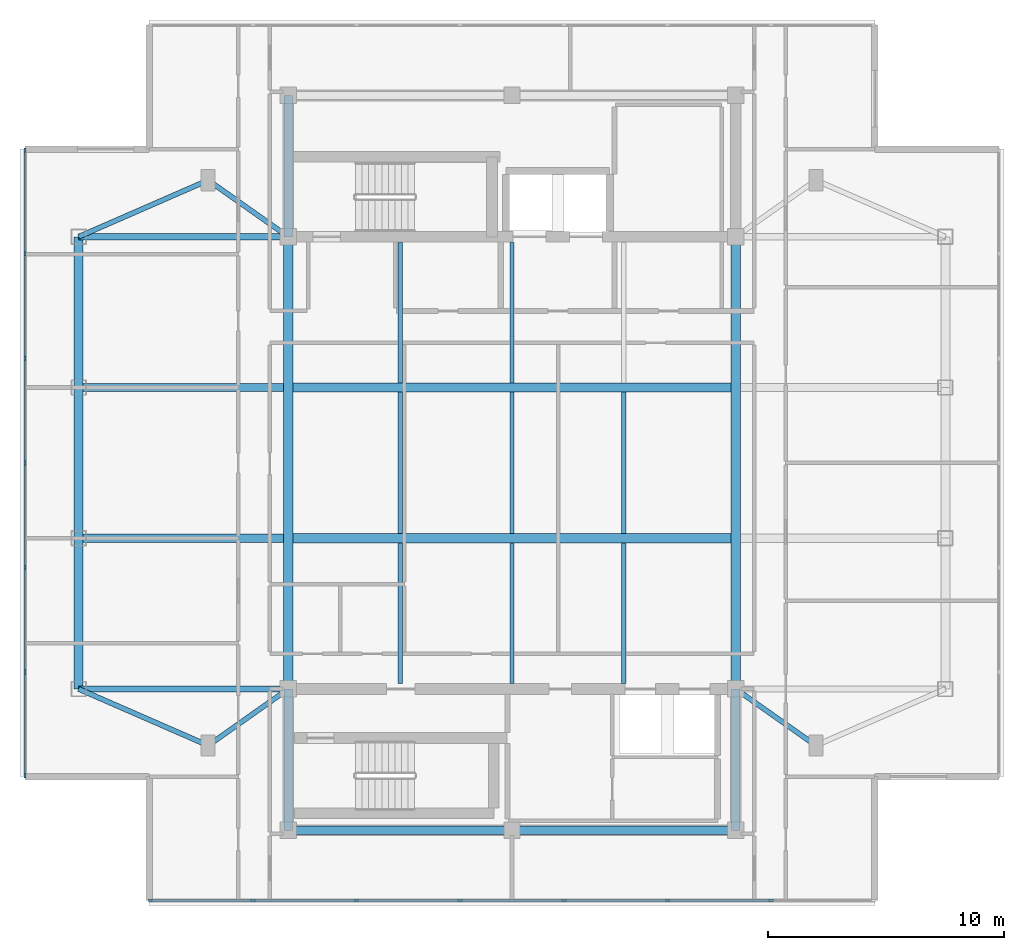
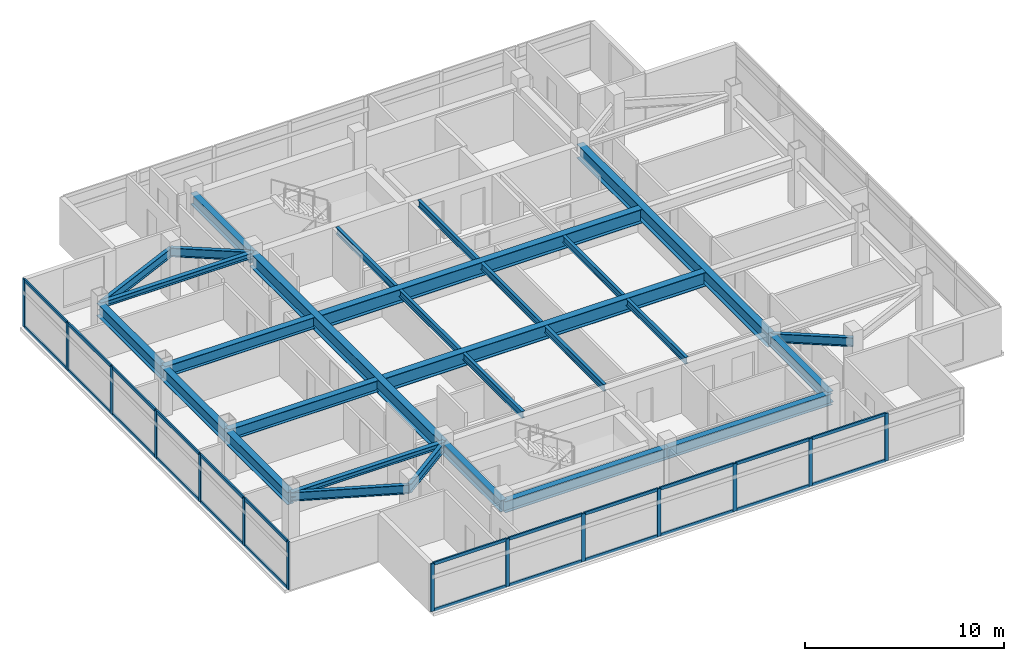
# One storey, part 2 of 11: 38 members, 29 beams, 2 elements without a shape of their own.
"""IFC4 building model written with IfcOpenShell, lengths in metres."""

from ifc_helpers import new_model, si_unit, direction, frame, origin, origin_2d, place, context, subcontext, project, spatial, rectangle, i_section, extrude, material, material_profile, profile_set, type_object, element, aggregate, save


model = new_model("IFC4")

# Units and contexts
model_context = context("Model", 3, precision=1e-05, world=origin(), true_north=direction((0.0, 1.0)))
body_context = subcontext(model_context, "Body", "Model", "MODEL_VIEW")
ifc_project = project(units=[si_unit("LENGTHUNIT", "METRE"), si_unit("AREAUNIT", "SQUARE_METRE"), si_unit("VOLUMEUNIT", "CUBIC_METRE"), si_unit("PLANEANGLEUNIT", "RADIAN"), si_unit("MASSUNIT", "GRAM", prefix="KILO")], contexts=[model_context])

# Site, building, storey
site_placement = place(None, origin())
site = spatial("IfcSite", under=ifc_project, at=site_placement, CompositionType="ELEMENT")
building_placement = place(site_placement, origin())
building = spatial("IfcBuilding", under=site, at=building_placement, Name="Mirazonda Arch Towers", CompositionType="ELEMENT")
storey_placement = place(building_placement, frame((0.0, 0.0, 259.89990234375)))
storey = spatial("IfcBuildingStorey", under=building, at=storey_placement, Name="L74", CompositionType="ELEMENT", Elevation=259.89990234375)

# Beams
ifc_material_1 = material(Name="Steel ASTM A992 Grade 50", Category="steel")
ifc_material_profile_1 = material_profile(ifc_material_1, i_section(OverallWidth=0.381103515625, OverallDepth=0.77294921875, WebThickness=0.0166015625, FlangeThickness=0.027099609375, at=origin_2d()), Name="W30X173")
ifc_profile_set_1 = profile_set([ifc_material_profile_1], Name="Steel ASTM A992 Grade 50")
beam_type_1 = type_object("IfcBeamType", Name="BM-EXT-W30X173", PredefinedType="USERDEFINED", material=ifc_profile_set_1)
beam_1_placement = place(storey_placement, frame((2.10009765625, 18.39990234375, 2.5634765625), z_axis=(0.0, 1.0, 0.0), x_axis=(-1.0, 0.0, 0.0)))
element("IfcBeam", 1, at=beam_1_placement, inside=storey, type_object=beam_type_1, Name="L74 Floor Beam BM-T1-L74-NS-W-18", ObjectType="GIRDER", PredefinedType="USERDEFINED", context=body_context, shape_type="SweptSolid", body=[
    extrude(i_section(OverallWidth=0.381103515625, OverallDepth=0.77294921875, WebThickness=0.0166015625, FlangeThickness=0.027099609375, at=origin_2d()), origin(), (0.0, 0.0, 1.0), 6.400146484375),
])
beam_2_placement = place(storey_placement, frame((2.10009765625, 24.800048828125, 2.5634765625), z_axis=(0.0, 1.0, 0.0), x_axis=(-1.0, 0.0, 0.0)))
element("IfcBeam", 2, at=beam_2_placement, inside=storey, type_object=beam_type_1, Name="L74 Floor Beam BM-T1-L74-NS-W-24", ObjectType="GIRDER", PredefinedType="USERDEFINED", context=body_context, shape_type="SweptSolid", body=[
    extrude(i_section(OverallWidth=0.381103515625, OverallDepth=0.77294921875, WebThickness=0.0166015625, FlangeThickness=0.027099609375, at=origin_2d()), origin(), (0.0, 0.0, 1.0), 6.39990234375),
])
beam_3_placement = place(storey_placement, frame((2.10009765625, 31.199951171875, 2.5634765625), z_axis=(0.0, 1.0, 0.0), x_axis=(-1.0, 0.0, 0.0)))
element("IfcBeam", 3, at=beam_3_placement, inside=storey, type_object=beam_type_1, Name="L74 Floor Beam BM-T1-L74-NS-W-31", ObjectType="GIRDER", PredefinedType="USERDEFINED", context=body_context, shape_type="SweptSolid", body=[
    extrude(i_section(OverallWidth=0.381103515625, OverallDepth=0.77294921875, WebThickness=0.0166015625, FlangeThickness=0.027099609375, at=origin_2d()), origin(), (0.0, 0.0, 1.0), 6.400146484375),
])
ifc_material_profile_2 = material_profile(ifc_material_1, i_section(OverallWidth=0.257080078125, OverallDepth=0.330078125, WebThickness=0.011962890625, FlangeThickness=0.01953125, at=origin_2d()), Name="W10X68")
ifc_profile_set_2 = profile_set([ifc_material_profile_2], Name="Steel ASTM A992 Grade 50")
beam_type_2 = type_object("IfcBeamType", Name="BM-INT-W10X68", PredefinedType="BEAM", material=ifc_profile_set_2)
for number, where, z_axis, x_axis, name in (
    (4, (2.10009765625, 37.60009765625, 2.78515625), (1.0, 0.0, 0.0), (0.0, 1.0, 0.0), "L74 Floor Beam CBC-T1-L74-NW"),
    (5, (2.10009765625, 18.39990234375, 2.78515625), (1.0, 0.0, 0.0), (0.0, 1.0, 0.0), "L74 Floor Beam CBC-T1-L74-SW"),
):
    element("IfcBeam", number, at=place(storey_placement, frame(where, z_axis=z_axis, x_axis=x_axis)), inside=storey, type_object=beam_type_2, Name=name, PredefinedType="BEAM", context=body_context, shape_type="SweptSolid", body=[
        extrude(i_section(OverallWidth=0.257080078125, OverallDepth=0.330078125, WebThickness=0.011962890625, FlangeThickness=0.01953125, at=origin_2d()), origin(), (0.0, 0.0, 1.0), 8.89990234375),
    ])
ifc_material_profile_3 = material_profile(ifc_material_1, i_section(OverallWidth=0.180908203125, OverallDepth=0.4169921875, WebThickness=0.010986328125, FlangeThickness=0.018310546875, at=origin_2d()), Name="W16X57")
ifc_profile_set_3 = profile_set([ifc_material_profile_3], Name="Steel ASTM A992 Grade 50")
beam_type_3 = type_object("IfcBeamType", Name="BM-INT-W16X57", PredefinedType="JOIST", material=ifc_profile_set_3)
for number, where, z_axis, x_axis, name in (
    (6, (15.75, 18.639892578125, 2.74169921875), (0.0, 1.0, 0.0), (-1.0, 0.0, 0.0), "L74 Floor Beam BM-T1-L74-J-157-18"),
    (7, (15.75, 31.39599609375, 2.74169921875), (0.0, 1.0, 0.0), (-1.0, 0.0, 0.0), "L74 Floor Beam BM-T1-L74-J-157-31"),
):
    element("IfcBeam", number, at=place(storey_placement, frame(where, z_axis=z_axis, x_axis=x_axis)), inside=storey, type_object=beam_type_3, Name=name, PredefinedType="JOIST", context=body_context, shape_type="SweptSolid", body=[
        extrude(i_section(OverallWidth=0.180908203125, OverallDepth=0.4169921875, WebThickness=0.010986328125, FlangeThickness=0.018310546875, at=origin_2d()), origin(), (0.0, 0.0, 1.0), 5.964111328125),
    ])
beam_4_placement = place(storey_placement, frame((15.75, 24.99609375, 2.74169921875), z_axis=(0.0, 1.0, 0.0), x_axis=(-1.0, 0.0, 0.0)))
element("IfcBeam", 8, at=beam_4_placement, inside=storey, type_object=beam_type_3, Name="L74 Floor Beam BM-T1-L74-J-157-24", PredefinedType="JOIST", context=body_context, shape_type="SweptSolid", body=[
    extrude(i_section(OverallWidth=0.180908203125, OverallDepth=0.4169921875, WebThickness=0.010986328125, FlangeThickness=0.018310546875, at=origin_2d()), origin(), (0.0, 0.0, 1.0), 6.0078125),
])
for number, where, z_axis, x_axis, name in (
    (9, (20.5, 18.639892578125, 2.74169921875), (0.0, 1.0, 0.0), (-1.0, 0.0, 0.0), "L74 Floor Beam BM-T1-L74-J-205-18"),
    (10, (20.5, 31.39599609375, 2.74169921875), (0.0, 1.0, 0.0), (-1.0, 0.0, 0.0), "L74 Floor Beam BM-T1-L74-J-205-31"),
):
    element("IfcBeam", number, at=place(storey_placement, frame(where, z_axis=z_axis, x_axis=x_axis)), inside=storey, type_object=beam_type_3, Name=name, PredefinedType="JOIST", context=body_context, shape_type="SweptSolid", body=[
        extrude(i_section(OverallWidth=0.180908203125, OverallDepth=0.4169921875, WebThickness=0.010986328125, FlangeThickness=0.018310546875, at=origin_2d()), origin(), (0.0, 0.0, 1.0), 5.964111328125),
    ])
beam_5_placement = place(storey_placement, frame((20.5, 24.99609375, 2.74169921875), z_axis=(0.0, 1.0, 0.0), x_axis=(-1.0, 0.0, 0.0)))
element("IfcBeam", 11, at=beam_5_placement, inside=storey, type_object=beam_type_3, Name="L74 Floor Beam BM-T1-L74-J-205-24", PredefinedType="JOIST", context=body_context, shape_type="SweptSolid", body=[
    extrude(i_section(OverallWidth=0.180908203125, OverallDepth=0.4169921875, WebThickness=0.010986328125, FlangeThickness=0.018310546875, at=origin_2d()), origin(), (0.0, 0.0, 1.0), 6.0078125),
])
beam_6_placement = place(storey_placement, frame((25.25, 18.639892578125, 2.74169921875), z_axis=(0.0, 1.0, 0.0), x_axis=(-1.0, 0.0, 0.0)))
element("IfcBeam", 12, at=beam_6_placement, inside=storey, type_object=beam_type_3, Name="L74 Floor Beam BM-T1-L74-J-252-18", PredefinedType="JOIST", context=body_context, shape_type="SweptSolid", body=[
    extrude(i_section(OverallWidth=0.180908203125, OverallDepth=0.4169921875, WebThickness=0.010986328125, FlangeThickness=0.018310546875, at=origin_2d()), origin(), (0.0, 0.0, 1.0), 5.964111328125),
])
beam_7_placement = place(storey_placement, frame((25.25, 24.99609375, 2.74169921875), z_axis=(0.0, 1.0, 0.0), x_axis=(-1.0, 0.0, 0.0)))
element("IfcBeam", 13, at=beam_7_placement, inside=storey, type_object=beam_type_3, Name="L74 Floor Beam BM-T1-L74-J-252-24", PredefinedType="JOIST", context=body_context, shape_type="SweptSolid", body=[
    extrude(i_section(OverallWidth=0.180908203125, OverallDepth=0.4169921875, WebThickness=0.010986328125, FlangeThickness=0.018310546875, at=origin_2d()), origin(), (0.0, 0.0, 1.0), 6.0078125),
])
ifc_material_profile_4 = material_profile(ifc_material_1, i_section(OverallWidth=0.214111328125, OverallDepth=0.549072265625, WebThickness=0.0146484375, FlangeThickness=0.023681640625, at=origin_2d()), Name="W21X93")
ifc_profile_set_4 = profile_set([ifc_material_profile_4], Name="Steel ASTM A992 Grade 50")
beam_type_4 = type_object("IfcBeamType", Name="BM-INT-W21X93", PredefinedType="BEAM", material=ifc_profile_set_4)
beam_8_placement = place(storey_placement, frame((7.60009765625, 16.0, 2.675537109375), z_axis=(0.816971114901, 0.576678591087, 0.0), x_axis=(-0.576678591087, 0.816971114901, 0.0)))
element("IfcBeam", 14, at=beam_8_placement, inside=storey, type_object=beam_type_4, Name="L74 Floor Beam BM-T1-L74-PL-SW1", PredefinedType="BEAM", context=body_context, shape_type="SweptSolid", body=[
    extrude(i_section(OverallWidth=0.214111328125, OverallDepth=0.549072265625, WebThickness=0.0146484375, FlangeThickness=0.023681640625, at=origin_2d()), origin(), (0.0, 0.0, 1.0), 4.16162109375),
])
beam_9_placement = place(storey_placement, frame((7.60009765625, 16.0, 2.675537109375), z_axis=(-0.916545343703, 0.399930785183, 0.0), x_axis=(-0.399930785183, -0.916545343703, 0.0)))
element("IfcBeam", 15, at=beam_9_placement, inside=storey, type_object=beam_type_4, Name="L74 Floor Beam BM-T1-L74-PL-SW2", PredefinedType="BEAM", context=body_context, shape_type="SweptSolid", body=[
    extrude(i_section(OverallWidth=0.214111328125, OverallDepth=0.549072265625, WebThickness=0.0146484375, FlangeThickness=0.023681640625, at=origin_2d()), origin(), (0.0, 0.0, 1.0), 6.000732421875),
])
for number, where, z_axis, x_axis, name in (
    (16, (33.39990234375, 16.0, 2.675537109375), (-0.816971114901, 0.576678591087, 0.0), (-0.576678591087, -0.816971114901, 0.0), "L74 Floor Beam BM-T1-L74-PL-SE1"),
    (17, (7.60009765625, 40.0, 2.675537109375), (0.816971114901, -0.576678591087, 0.0), (0.576678591087, 0.816971114901, 0.0), "L74 Floor Beam BM-T1-L74-PL-NW1"),
):
    element("IfcBeam", number, at=place(storey_placement, frame(where, z_axis=z_axis, x_axis=x_axis)), inside=storey, type_object=beam_type_4, Name=name, PredefinedType="BEAM", context=body_context, shape_type="SweptSolid", body=[
        extrude(i_section(OverallWidth=0.214111328125, OverallDepth=0.549072265625, WebThickness=0.0146484375, FlangeThickness=0.023681640625, at=origin_2d()), origin(), (0.0, 0.0, 1.0), 4.16162109375),
    ])
beam_10_placement = place(storey_placement, frame((7.60009765625, 40.0, 2.675537109375), z_axis=(-0.916545343703, -0.399930785183, 0.0), x_axis=(0.399930785183, -0.916545343703, 0.0)))
element("IfcBeam", 18, at=beam_10_placement, inside=storey, type_object=beam_type_4, Name="L74 Floor Beam BM-T1-L74-PL-NW2", PredefinedType="BEAM", context=body_context, shape_type="SweptSolid", body=[
    extrude(i_section(OverallWidth=0.214111328125, OverallDepth=0.549072265625, WebThickness=0.0146484375, FlangeThickness=0.023681640625, at=origin_2d()), origin(), (0.0, 0.0, 1.0), 6.000732421875),
])
ifc_material_profile_5 = material_profile(ifc_material_1, i_section(OverallWidth=0.35498046875, OverallDepth=0.696044921875, WebThickness=0.015380859375, FlangeThickness=0.02490234375, at=origin_2d()), Name="W27X146")
ifc_profile_set_5 = profile_set([ifc_material_profile_5], Name="Steel ASTM A992 Grade 50")
beam_type_5 = type_object("IfcBeamType", Name="BM-INT-W27X146", PredefinedType="BEAM", material=ifc_profile_set_5)
for number, where, z_axis, x_axis, name in (
    (19, (2.10009765625, 24.800048828125, 2.60205078125), (1.0, 0.0, 0.0), (0.0, 1.0, 0.0), "L74 Floor Beam BM-T1-L74-GW2"),
    (20, (2.10009765625, 31.199951171875, 2.60205078125), (1.0, 0.0, 0.0), (0.0, 1.0, 0.0), "L74 Floor Beam BM-T1-L74-GW3"),
):
    element("IfcBeam", number, at=place(storey_placement, frame(where, z_axis=z_axis, x_axis=x_axis)), inside=storey, type_object=beam_type_5, Name=name, PredefinedType="BEAM", context=body_context, shape_type="SweptSolid", body=[
        extrude(i_section(OverallWidth=0.35498046875, OverallDepth=0.696044921875, WebThickness=0.015380859375, FlangeThickness=0.02490234375, at=origin_2d()), origin(), (0.0, 0.0, 1.0), 8.699951171875),
    ])
for number, where, z_axis, x_axis, name in (
    (21, (11.0, 12.39990234375, 2.60205078125), (1.0, 0.0, 0.0), (0.0, 1.0, 0.0), "L74 Floor Beam BM-T1-L74-CS1"),
    (22, (20.5, 12.39990234375, 2.60205078125), (1.0, 0.0, 0.0), (0.0, 1.0, 0.0), "L74 Floor Beam BM-T1-L74-CS2"),
):
    element("IfcBeam", number, at=place(storey_placement, frame(where, z_axis=z_axis, x_axis=x_axis)), inside=storey, type_object=beam_type_5, Name=name, PredefinedType="BEAM", context=body_context, shape_type="SweptSolid", body=[
        extrude(i_section(OverallWidth=0.35498046875, OverallDepth=0.696044921875, WebThickness=0.015380859375, FlangeThickness=0.02490234375, at=origin_2d()), origin(), (0.0, 0.0, 1.0), 9.5),
    ])
for number, where, z_axis, x_axis, name in (
    (23, (11.0, 12.39990234375, 2.60205078125), (0.0, 1.0, 0.0), (-1.0, 0.0, 0.0), "L74 Floor Beam BM-T1-L74-CSW"),
    (24, (30.0, 12.39990234375, 2.60205078125), (0.0, 1.0, 0.0), (-1.0, 0.0, 0.0), "L74 Floor Beam BM-T1-L74-CSE"),
    (25, (11.0, 37.60009765625, 2.60205078125), (0.0, 1.0, 0.0), (-1.0, 0.0, 0.0), "L74 Floor Beam BM-T1-L74-CNW"),
):
    element("IfcBeam", number, at=place(storey_placement, frame(where, z_axis=z_axis, x_axis=x_axis)), inside=storey, type_object=beam_type_5, Name=name, PredefinedType="BEAM", context=body_context, shape_type="SweptSolid", body=[
        extrude(i_section(OverallWidth=0.35498046875, OverallDepth=0.696044921875, WebThickness=0.015380859375, FlangeThickness=0.02490234375, at=origin_2d()), origin(), (0.0, 0.0, 1.0), 6.0),
    ])
ifc_material_profile_6 = material_profile(ifc_material_1, i_section(OverallWidth=0.39990234375, OverallDepth=0.85595703125, WebThickness=0.018310546875, FlangeThickness=0.029296875, at=origin_2d()), Name="W33X201")
ifc_profile_set_6 = profile_set([ifc_material_profile_6], Name="Steel ASTM A992 Grade 50")
beam_type_6 = type_object("IfcBeamType", Name="BM-INT-W33X201", PredefinedType="USERDEFINED", material=ifc_profile_set_6)
for number, where, z_axis, x_axis, name in (
    (26, (11.199951171875, 24.800048828125, 2.522216796875), (1.0, 0.0, 0.0), (0.0, 1.0, 0.0), "L74 Floor Beam BM-T1-L74-GC2"),
    (27, (11.199951171875, 31.199951171875, 2.522216796875), (1.0, 0.0, 0.0), (0.0, 1.0, 0.0), "L74 Floor Beam BM-T1-L74-GC3"),
):
    element("IfcBeam", number, at=place(storey_placement, frame(where, z_axis=z_axis, x_axis=x_axis)), inside=storey, type_object=beam_type_6, Name=name, ObjectType="GIRDER", PredefinedType="USERDEFINED", context=body_context, shape_type="SweptSolid", body=[
        extrude(i_section(OverallWidth=0.39990234375, OverallDepth=0.85595703125, WebThickness=0.018310546875, FlangeThickness=0.029296875, at=origin_2d()), origin(), (0.0, 0.0, 1.0), 18.60009765625),
    ])
for number, where, z_axis, x_axis, name in (
    (28, (11.0, 18.39990234375, 2.522216796875), (0.0, 1.0, 0.0), (-1.0, 0.0, 0.0), "L74 Floor Beam BM-T1-L74-NS-CW-FULL"),
    (29, (30.0, 18.39990234375, 2.522216796875), (0.0, 1.0, 0.0), (-1.0, 0.0, 0.0), "L74 Floor Beam BM-T1-L74-NS-CE-FULL"),
):
    element("IfcBeam", number, at=place(storey_placement, frame(where, z_axis=z_axis, x_axis=x_axis)), inside=storey, type_object=beam_type_6, Name=name, ObjectType="GIRDER", PredefinedType="USERDEFINED", context=body_context, shape_type="SweptSolid", body=[
        extrude(i_section(OverallWidth=0.39990234375, OverallDepth=0.85595703125, WebThickness=0.018310546875, FlangeThickness=0.029296875, at=origin_2d()), origin(), (0.0, 0.0, 1.0), 19.2001953125),
    ])

# Curtain wall, members
ifc_material_2 = material(Name="Anodised Aluminium and Low-E Glass", Category="aluminium")
curtain_wall_type = type_object("IfcCurtainWallType", Name="CW-OBS-LANTERN", PredefinedType="NOTDEFINED", material=ifc_material_2)
curtain_wall_1_placement = place(storey_placement, origin())
curtain_wall_1 = element("IfcCurtainWall", 30, at=curtain_wall_1_placement, inside=storey, type_object=curtain_wall_type, Name="L74 T1 S Facade CW-L74-T1-S", PredefinedType="NOTDEFINED")
ifc_material_3 = material(Name="Anodised Aluminium Alloy", Category="aluminium")
ifc_material_profile_7 = material_profile(ifc_material_3, rectangle(XDim=0.090087890625, YDim=0.2099609375, at=origin_2d()), Name="ALU-MULL-90x210")
ifc_profile_set_7 = profile_set([ifc_material_profile_7], Name="Anodised Aluminium Alloy")
member_type_1 = type_object("IfcMemberType", Name="MULL-CW-OBS-LANTERN", PredefinedType="MULLION", material=ifc_profile_set_7)
member_1_placement = place(storey_placement, frame((31.503662109375, 9.416015625, 0.0), z_axis=(0.0, 0.0, 1.0), x_axis=(0.0, -1.0, 0.0)))
member_1 = element("IfcMember", 31, at=member_1_placement, type_object=member_type_1, Name="CW-110 mullion 2", PredefinedType="MULLION", context=body_context, shape_type="SweptSolid", body=[
    extrude(rectangle(XDim=0.090087890625, YDim=0.2099609375, at=origin_2d()), origin(), (0.0, 0.0, 1.0), 2.93017578125),
])
member_2_placement = place(storey_placement, frame((27.10205078125, 9.416015625, 0.0), z_axis=(0.0, 0.0, 1.0), x_axis=(0.0, -1.0, 0.0)))
member_2 = element("IfcMember", 32, at=member_2_placement, type_object=member_type_1, Name="CW-110 mullion 3", PredefinedType="MULLION", context=body_context, shape_type="SweptSolid", body=[
    extrude(rectangle(XDim=0.090087890625, YDim=0.2099609375, at=origin_2d()), origin(), (0.0, 0.0, 1.0), 2.93017578125),
])
member_3_placement = place(storey_placement, frame((22.70068359375, 9.416015625, 0.0), z_axis=(0.0, 0.0, 1.0), x_axis=(0.0, -1.0, 0.0)))
member_3 = element("IfcMember", 33, at=member_3_placement, type_object=member_type_1, Name="CW-110 mullion 4", PredefinedType="MULLION", context=body_context, shape_type="SweptSolid", body=[
    extrude(rectangle(XDim=0.090087890625, YDim=0.2099609375, at=origin_2d()), origin(), (0.0, 0.0, 1.0), 2.93017578125),
])
member_4_placement = place(storey_placement, frame((18.29931640625, 9.416015625, 0.0), z_axis=(0.0, 0.0, 1.0), x_axis=(0.0, -1.0, 0.0)))
member_4 = element("IfcMember", 34, at=member_4_placement, type_object=member_type_1, Name="CW-110 mullion 5", PredefinedType="MULLION", context=body_context, shape_type="SweptSolid", body=[
    extrude(rectangle(XDim=0.090087890625, YDim=0.2099609375, at=origin_2d()), origin(), (0.0, 0.0, 1.0), 2.93017578125),
])
member_5_placement = place(storey_placement, frame((13.89794921875, 9.416015625, 0.0), z_axis=(0.0, 0.0, 1.0), x_axis=(0.0, -1.0, 0.0)))
member_5 = element("IfcMember", 35, at=member_5_placement, type_object=member_type_1, Name="CW-110 mullion 6", PredefinedType="MULLION", context=body_context, shape_type="SweptSolid", body=[
    extrude(rectangle(XDim=0.090087890625, YDim=0.2099609375, at=origin_2d()), origin(), (0.0, 0.0, 1.0), 2.93017578125),
])
member_6_placement = place(storey_placement, frame((9.496337890625, 9.416015625, 0.0), z_axis=(0.0, 0.0, 1.0), x_axis=(0.0, -1.0, 0.0)))
member_6 = element("IfcMember", 36, at=member_6_placement, type_object=member_type_1, Name="CW-110 mullion 7", PredefinedType="MULLION", context=body_context, shape_type="SweptSolid", body=[
    extrude(rectangle(XDim=0.090087890625, YDim=0.2099609375, at=origin_2d()), origin(), (0.0, 0.0, 1.0), 2.93017578125),
])
member_7_placement = place(storey_placement, frame((5.139892578125, 9.416015625, 0.0), z_axis=(0.0, 0.0, 1.0), x_axis=(0.0, -1.0, 0.0)))
member_7 = element("IfcMember", 37, at=member_7_placement, type_object=member_type_1, Name="CW-110 mullion 8", PredefinedType="MULLION", context=body_context, shape_type="SweptSolid", body=[
    extrude(rectangle(XDim=0.090087890625, YDim=0.2099609375, at=origin_2d()), origin(), (0.0, 0.0, 1.0), 2.93017578125),
])

curtain_wall_2_placement = place(storey_placement, origin())
curtain_wall_2 = element("IfcCurtainWall", 38, at=curtain_wall_2_placement, inside=storey, type_object=curtain_wall_type, Name="L74 T1 W Facade CW-L74-T1-W", PredefinedType="NOTDEFINED")
member_8_placement = place(storey_placement, frame((-0.169921875, 41.27392578125, 0.0), z_axis=(0.0, 0.0, 1.0), x_axis=(1.0, 0.0, 0.0)))
member_8 = element("IfcMember", 39, at=member_8_placement, type_object=member_type_1, Name="CW-110 mullion 1", PredefinedType="MULLION", context=body_context, shape_type="SweptSolid", body=[
    extrude(rectangle(XDim=0.090087890625, YDim=0.2099609375, at=origin_2d()), origin(), (0.0, 0.0, 1.0), 2.93017578125),
])
member_9_placement = place(storey_placement, frame((-0.169921875, 36.87939453125, 0.0), z_axis=(0.0, 0.0, 1.0), x_axis=(1.0, 0.0, 0.0)))
member_9 = element("IfcMember", 40, at=member_9_placement, type_object=member_type_1, Name="CW-110 mullion 2", PredefinedType="MULLION", context=body_context, shape_type="SweptSolid", body=[
    extrude(rectangle(XDim=0.090087890625, YDim=0.2099609375, at=origin_2d()), origin(), (0.0, 0.0, 1.0), 2.93017578125),
])
member_10_placement = place(storey_placement, frame((-0.169921875, 32.439697265625, 0.0), z_axis=(0.0, 0.0, 1.0), x_axis=(1.0, 0.0, 0.0)))
member_10 = element("IfcMember", 41, at=member_10_placement, type_object=member_type_1, Name="CW-110 mullion 3", PredefinedType="MULLION", context=body_context, shape_type="SweptSolid", body=[
    extrude(rectangle(XDim=0.090087890625, YDim=0.2099609375, at=origin_2d()), origin(), (0.0, 0.0, 1.0), 2.93017578125),
])
member_11_placement = place(storey_placement, frame((-0.169921875, 28.0, 0.0), z_axis=(0.0, 0.0, 1.0), x_axis=(1.0, 0.0, 0.0)))
member_11 = element("IfcMember", 42, at=member_11_placement, type_object=member_type_1, Name="CW-110 mullion 4", PredefinedType="MULLION", context=body_context, shape_type="SweptSolid", body=[
    extrude(rectangle(XDim=0.090087890625, YDim=0.2099609375, at=origin_2d()), origin(), (0.0, 0.0, 1.0), 2.93017578125),
])
member_12_placement = place(storey_placement, frame((-0.169921875, 23.560302734375, 0.0), z_axis=(0.0, 0.0, 1.0), x_axis=(1.0, 0.0, 0.0)))
member_12 = element("IfcMember", 43, at=member_12_placement, type_object=member_type_1, Name="CW-110 mullion 5", PredefinedType="MULLION", context=body_context, shape_type="SweptSolid", body=[
    extrude(rectangle(XDim=0.090087890625, YDim=0.2099609375, at=origin_2d()), origin(), (0.0, 0.0, 1.0), 2.93017578125),
])
member_13_placement = place(storey_placement, frame((-0.169921875, 19.12060546875, 0.0), z_axis=(0.0, 0.0, 1.0), x_axis=(1.0, 0.0, 0.0)))
member_13 = element("IfcMember", 44, at=member_13_placement, type_object=member_type_1, Name="CW-110 mullion 6", PredefinedType="MULLION", context=body_context, shape_type="SweptSolid", body=[
    extrude(rectangle(XDim=0.090087890625, YDim=0.2099609375, at=origin_2d()), origin(), (0.0, 0.0, 1.0), 2.93017578125),
])
member_14_placement = place(storey_placement, frame((-0.169921875, 14.72607421875, 0.0), z_axis=(0.0, 0.0, 1.0), x_axis=(1.0, 0.0, 0.0)))
member_14 = element("IfcMember", 45, at=member_14_placement, type_object=member_type_1, Name="CW-110 mullion 7", PredefinedType="MULLION", context=body_context, shape_type="SweptSolid", body=[
    extrude(rectangle(XDim=0.090087890625, YDim=0.2099609375, at=origin_2d()), origin(), (0.0, 0.0, 1.0), 2.93017578125),
])

# Member
ifc_material_profile_8 = material_profile(ifc_material_3, rectangle(XDim=0.090087890625, YDim=0.18994140625, at=origin_2d()), Name="ALU-TRAN-90x190")
ifc_profile_set_8 = profile_set([ifc_material_profile_8], Name="Anodised Aluminium Alloy")
member_type_2 = type_object("IfcMemberType", Name="TRAN-CW-OBS-LANTERN", PredefinedType="USERDEFINED", material=ifc_profile_set_8)
member_15_placement = place(storey_placement, frame((31.45849609375, 9.416015625, 0.045166015625), z_axis=(-1.0, 0.0, 0.0), x_axis=(0.0, -1.0, 0.0)))
member_15 = element("IfcMember", 46, at=member_15_placement, type_object=member_type_2, Name="CW-110 transom 2.1", ObjectType="TRANSOM", PredefinedType="USERDEFINED", context=body_context, shape_type="SweptSolid", body=[
    extrude(rectangle(XDim=0.090087890625, YDim=0.18994140625, at=origin_2d()), origin(), (0.0, 0.0, 1.0), 4.311279296875),
])

member_16_placement = place(storey_placement, frame((31.45849609375, 9.416015625, 2.885009765625), z_axis=(-1.0, 0.0, 0.0), x_axis=(0.0, -1.0, 0.0)))
member_16 = element("IfcMember", 47, at=member_16_placement, type_object=member_type_2, Name="CW-110 transom 2.2", ObjectType="TRANSOM", PredefinedType="USERDEFINED", context=body_context, shape_type="SweptSolid", body=[
    extrude(rectangle(XDim=0.090087890625, YDim=0.18994140625, at=origin_2d()), origin(), (0.0, 0.0, 1.0), 4.311279296875),
])

member_17_placement = place(storey_placement, frame((27.05712890625, 9.416015625, 0.045166015625), z_axis=(-1.0, 0.0, 0.0), x_axis=(0.0, -1.0, 0.0)))
member_17 = element("IfcMember", 48, at=member_17_placement, type_object=member_type_2, Name="CW-110 transom 3.1", ObjectType="TRANSOM", PredefinedType="USERDEFINED", context=body_context, shape_type="SweptSolid", body=[
    extrude(rectangle(XDim=0.090087890625, YDim=0.18994140625, at=origin_2d()), origin(), (0.0, 0.0, 1.0), 4.3115234375),
])

member_18_placement = place(storey_placement, frame((27.05712890625, 9.416015625, 2.885009765625), z_axis=(-1.0, 0.0, 0.0), x_axis=(0.0, -1.0, 0.0)))
member_18 = element("IfcMember", 49, at=member_18_placement, type_object=member_type_2, Name="CW-110 transom 3.2", ObjectType="TRANSOM", PredefinedType="USERDEFINED", context=body_context, shape_type="SweptSolid", body=[
    extrude(rectangle(XDim=0.090087890625, YDim=0.18994140625, at=origin_2d()), origin(), (0.0, 0.0, 1.0), 4.3115234375),
])

member_19_placement = place(storey_placement, frame((22.65576171875, 9.416015625, 0.045166015625), z_axis=(-1.0, 0.0, 0.0), x_axis=(0.0, -1.0, 0.0)))
member_19 = element("IfcMember", 50, at=member_19_placement, type_object=member_type_2, Name="CW-110 transom 4.1", ObjectType="TRANSOM", PredefinedType="USERDEFINED", context=body_context, shape_type="SweptSolid", body=[
    extrude(rectangle(XDim=0.090087890625, YDim=0.18994140625, at=origin_2d()), origin(), (0.0, 0.0, 1.0), 4.3115234375),
])

member_20_placement = place(storey_placement, frame((22.65576171875, 9.416015625, 2.885009765625), z_axis=(-1.0, 0.0, 0.0), x_axis=(0.0, -1.0, 0.0)))
member_20 = element("IfcMember", 51, at=member_20_placement, type_object=member_type_2, Name="CW-110 transom 4.2", ObjectType="TRANSOM", PredefinedType="USERDEFINED", context=body_context, shape_type="SweptSolid", body=[
    extrude(rectangle(XDim=0.090087890625, YDim=0.18994140625, at=origin_2d()), origin(), (0.0, 0.0, 1.0), 4.3115234375),
])

member_21_placement = place(storey_placement, frame((18.25439453125, 9.416015625, 0.045166015625), z_axis=(-1.0, 0.0, 0.0), x_axis=(0.0, -1.0, 0.0)))
member_21 = element("IfcMember", 52, at=member_21_placement, type_object=member_type_2, Name="CW-110 transom 5.1", ObjectType="TRANSOM", PredefinedType="USERDEFINED", context=body_context, shape_type="SweptSolid", body=[
    extrude(rectangle(XDim=0.090087890625, YDim=0.18994140625, at=origin_2d()), origin(), (0.0, 0.0, 1.0), 4.3115234375),
])

member_22_placement = place(storey_placement, frame((18.25439453125, 9.416015625, 2.885009765625), z_axis=(-1.0, 0.0, 0.0), x_axis=(0.0, -1.0, 0.0)))
member_22 = element("IfcMember", 53, at=member_22_placement, type_object=member_type_2, Name="CW-110 transom 5.2", ObjectType="TRANSOM", PredefinedType="USERDEFINED", context=body_context, shape_type="SweptSolid", body=[
    extrude(rectangle(XDim=0.090087890625, YDim=0.18994140625, at=origin_2d()), origin(), (0.0, 0.0, 1.0), 4.3115234375),
])

member_23_placement = place(storey_placement, frame((13.852783203125, 9.416015625, 0.045166015625), z_axis=(-1.0, 0.0, 0.0), x_axis=(0.0, -1.0, 0.0)))
member_23 = element("IfcMember", 54, at=member_23_placement, type_object=member_type_2, Name="CW-110 transom 6.1", ObjectType="TRANSOM", PredefinedType="USERDEFINED", context=body_context, shape_type="SweptSolid", body=[
    extrude(rectangle(XDim=0.090087890625, YDim=0.18994140625, at=origin_2d()), origin(), (0.0, 0.0, 1.0), 4.311279296875),
])

member_24_placement = place(storey_placement, frame((13.852783203125, 9.416015625, 2.885009765625), z_axis=(-1.0, 0.0, 0.0), x_axis=(0.0, -1.0, 0.0)))
member_24 = element("IfcMember", 55, at=member_24_placement, type_object=member_type_2, Name="CW-110 transom 6.2", ObjectType="TRANSOM", PredefinedType="USERDEFINED", context=body_context, shape_type="SweptSolid", body=[
    extrude(rectangle(XDim=0.090087890625, YDim=0.18994140625, at=origin_2d()), origin(), (0.0, 0.0, 1.0), 4.311279296875),
])

member_25_placement = place(storey_placement, frame((9.451416015625, 9.416015625, 0.045166015625), z_axis=(-1.0, 0.0, 0.0), x_axis=(0.0, -1.0, 0.0)))
member_25 = element("IfcMember", 56, at=member_25_placement, type_object=member_type_2, Name="CW-110 transom 7.1", ObjectType="TRANSOM", PredefinedType="USERDEFINED", context=body_context, shape_type="SweptSolid", body=[
    extrude(rectangle(XDim=0.090087890625, YDim=0.18994140625, at=origin_2d()), origin(), (0.0, 0.0, 1.0), 4.266357421875),
])

member_26_placement = place(storey_placement, frame((9.451416015625, 9.416015625, 2.885009765625), z_axis=(-1.0, 0.0, 0.0), x_axis=(0.0, -1.0, 0.0)))
member_26 = element("IfcMember", 57, at=member_26_placement, type_object=member_type_2, Name="CW-110 transom 7.2", ObjectType="TRANSOM", PredefinedType="USERDEFINED", context=body_context, shape_type="SweptSolid", body=[
    extrude(rectangle(XDim=0.090087890625, YDim=0.18994140625, at=origin_2d()), origin(), (0.0, 0.0, 1.0), 4.266357421875),
])

aggregate(curtain_wall_1, [member_1, member_2, member_3, member_4, member_5, member_6, member_7, member_15, member_16, member_17, member_18, member_19, member_20, member_21, member_22, member_23, member_24, member_25, member_26])

member_27_placement = place(storey_placement, frame((-0.169921875, 41.22900390625, 0.045166015625), z_axis=(0.0, -1.0, 0.0), x_axis=(1.0, 0.0, 0.0)))
member_27 = element("IfcMember", 58, at=member_27_placement, type_object=member_type_2, Name="CW-110 transom 1.1", ObjectType="TRANSOM", PredefinedType="USERDEFINED", context=body_context, shape_type="SweptSolid", body=[
    extrude(rectangle(XDim=0.090087890625, YDim=0.18994140625, at=origin_2d()), origin(), (0.0, 0.0, 1.0), 4.3046875),
])

member_28_placement = place(storey_placement, frame((-0.169921875, 41.22900390625, 2.885009765625), z_axis=(0.0, -1.0, 0.0), x_axis=(1.0, 0.0, 0.0)))
member_28 = element("IfcMember", 59, at=member_28_placement, type_object=member_type_2, Name="CW-110 transom 1.2", ObjectType="TRANSOM", PredefinedType="USERDEFINED", context=body_context, shape_type="SweptSolid", body=[
    extrude(rectangle(XDim=0.090087890625, YDim=0.18994140625, at=origin_2d()), origin(), (0.0, 0.0, 1.0), 4.3046875),
])

member_29_placement = place(storey_placement, frame((-0.169921875, 36.834228515625, 0.045166015625), z_axis=(0.0, -1.0, 0.0), x_axis=(1.0, 0.0, 0.0)))
member_29 = element("IfcMember", 60, at=member_29_placement, type_object=member_type_2, Name="CW-110 transom 2.1", ObjectType="TRANSOM", PredefinedType="USERDEFINED", context=body_context, shape_type="SweptSolid", body=[
    extrude(rectangle(XDim=0.090087890625, YDim=0.18994140625, at=origin_2d()), origin(), (0.0, 0.0, 1.0), 4.349609375),
])

member_30_placement = place(storey_placement, frame((-0.169921875, 36.834228515625, 2.885009765625), z_axis=(0.0, -1.0, 0.0), x_axis=(1.0, 0.0, 0.0)))
member_30 = element("IfcMember", 61, at=member_30_placement, type_object=member_type_2, Name="CW-110 transom 2.2", ObjectType="TRANSOM", PredefinedType="USERDEFINED", context=body_context, shape_type="SweptSolid", body=[
    extrude(rectangle(XDim=0.090087890625, YDim=0.18994140625, at=origin_2d()), origin(), (0.0, 0.0, 1.0), 4.349609375),
])

member_31_placement = place(storey_placement, frame((-0.169921875, 32.394775390625, 0.045166015625), z_axis=(0.0, -1.0, 0.0), x_axis=(1.0, 0.0, 0.0)))
member_31 = element("IfcMember", 62, at=member_31_placement, type_object=member_type_2, Name="CW-110 transom 3.1", ObjectType="TRANSOM", PredefinedType="USERDEFINED", context=body_context, shape_type="SweptSolid", body=[
    extrude(rectangle(XDim=0.090087890625, YDim=0.18994140625, at=origin_2d()), origin(), (0.0, 0.0, 1.0), 4.349853515625),
])

member_32_placement = place(storey_placement, frame((-0.169921875, 32.394775390625, 2.885009765625), z_axis=(0.0, -1.0, 0.0), x_axis=(1.0, 0.0, 0.0)))
member_32 = element("IfcMember", 63, at=member_32_placement, type_object=member_type_2, Name="CW-110 transom 3.2", ObjectType="TRANSOM", PredefinedType="USERDEFINED", context=body_context, shape_type="SweptSolid", body=[
    extrude(rectangle(XDim=0.090087890625, YDim=0.18994140625, at=origin_2d()), origin(), (0.0, 0.0, 1.0), 4.349853515625),
])

member_33_placement = place(storey_placement, frame((-0.169921875, 27.955078125, 0.045166015625), z_axis=(0.0, -1.0, 0.0), x_axis=(1.0, 0.0, 0.0)))
member_33 = element("IfcMember", 64, at=member_33_placement, type_object=member_type_2, Name="CW-110 transom 4.1", ObjectType="TRANSOM", PredefinedType="USERDEFINED", context=body_context, shape_type="SweptSolid", body=[
    extrude(rectangle(XDim=0.090087890625, YDim=0.18994140625, at=origin_2d()), origin(), (0.0, 0.0, 1.0), 4.349853515625),
])

member_34_placement = place(storey_placement, frame((-0.169921875, 27.955078125, 2.885009765625), z_axis=(0.0, -1.0, 0.0), x_axis=(1.0, 0.0, 0.0)))
member_34 = element("IfcMember", 65, at=member_34_placement, type_object=member_type_2, Name="CW-110 transom 4.2", ObjectType="TRANSOM", PredefinedType="USERDEFINED", context=body_context, shape_type="SweptSolid", body=[
    extrude(rectangle(XDim=0.090087890625, YDim=0.18994140625, at=origin_2d()), origin(), (0.0, 0.0, 1.0), 4.349853515625),
])

member_35_placement = place(storey_placement, frame((-0.169921875, 23.515380859375, 0.045166015625), z_axis=(0.0, -1.0, 0.0), x_axis=(1.0, 0.0, 0.0)))
member_35 = element("IfcMember", 66, at=member_35_placement, type_object=member_type_2, Name="CW-110 transom 5.1", ObjectType="TRANSOM", PredefinedType="USERDEFINED", context=body_context, shape_type="SweptSolid", body=[
    extrude(rectangle(XDim=0.090087890625, YDim=0.18994140625, at=origin_2d()), origin(), (0.0, 0.0, 1.0), 4.349609375),
])

member_36_placement = place(storey_placement, frame((-0.169921875, 23.515380859375, 2.885009765625), z_axis=(0.0, -1.0, 0.0), x_axis=(1.0, 0.0, 0.0)))
member_36 = element("IfcMember", 67, at=member_36_placement, type_object=member_type_2, Name="CW-110 transom 5.2", ObjectType="TRANSOM", PredefinedType="USERDEFINED", context=body_context, shape_type="SweptSolid", body=[
    extrude(rectangle(XDim=0.090087890625, YDim=0.18994140625, at=origin_2d()), origin(), (0.0, 0.0, 1.0), 4.349609375),
])

member_37_placement = place(storey_placement, frame((-0.169921875, 19.07568359375, 0.045166015625), z_axis=(0.0, -1.0, 0.0), x_axis=(1.0, 0.0, 0.0)))
member_37 = element("IfcMember", 68, at=member_37_placement, type_object=member_type_2, Name="CW-110 transom 6.1", ObjectType="TRANSOM", PredefinedType="USERDEFINED", context=body_context, shape_type="SweptSolid", body=[
    extrude(rectangle(XDim=0.090087890625, YDim=0.18994140625, at=origin_2d()), origin(), (0.0, 0.0, 1.0), 4.3046875),
])

member_38_placement = place(storey_placement, frame((-0.169921875, 19.07568359375, 2.885009765625), z_axis=(0.0, -1.0, 0.0), x_axis=(1.0, 0.0, 0.0)))
member_38 = element("IfcMember", 69, at=member_38_placement, type_object=member_type_2, Name="CW-110 transom 6.2", ObjectType="TRANSOM", PredefinedType="USERDEFINED", context=body_context, shape_type="SweptSolid", body=[
    extrude(rectangle(XDim=0.090087890625, YDim=0.18994140625, at=origin_2d()), origin(), (0.0, 0.0, 1.0), 4.3046875),
])

aggregate(curtain_wall_2, [member_8, member_9, member_10, member_11, member_12, member_13, member_14, member_27, member_28, member_29, member_30, member_31, member_32, member_33, member_34, member_35, member_36, member_37, member_38])

save(model, "model.ifc")
